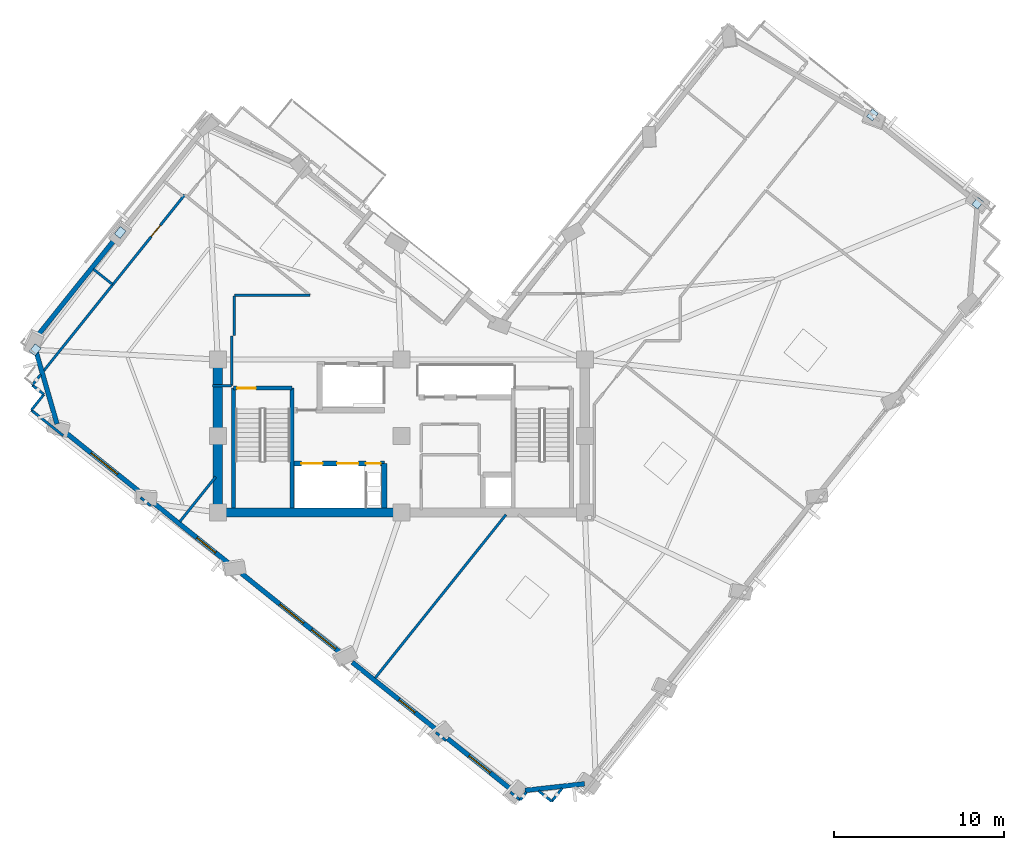
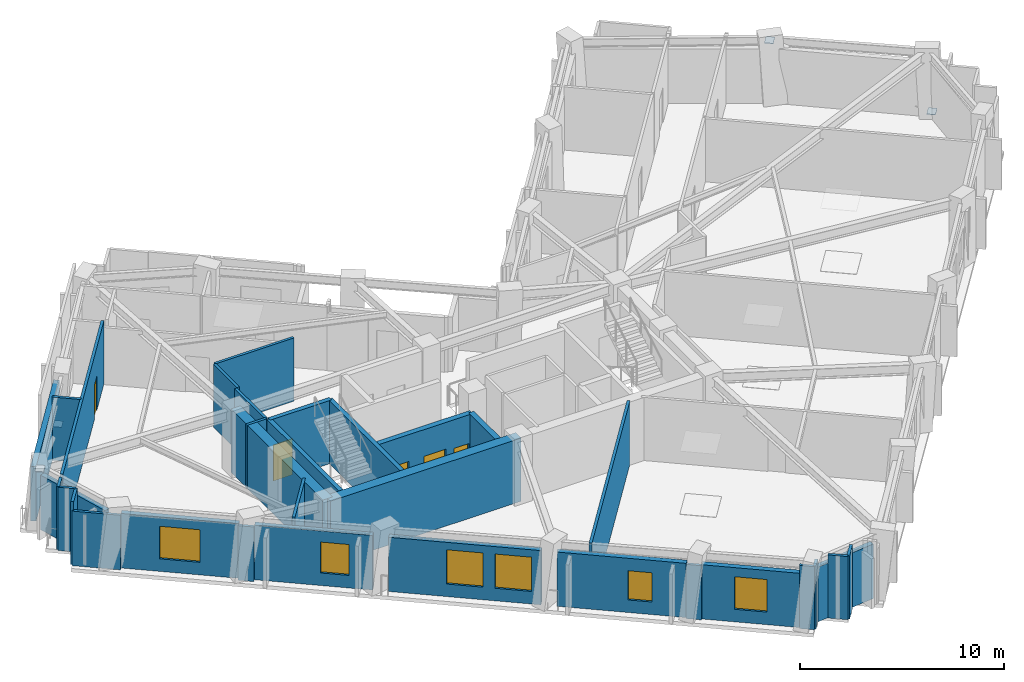
# One storey, part 4 of 10: 33 walls, 6 windows, 5 doors, 4 plates, 11 openings.
"""IFC4 building model written with IfcOpenShell, lengths in metres."""

from ifc_helpers import new_model, si_unit, direction, frame, frame_2d, origin, origin_2d, place, context, subcontext, project, spatial, rectangle, extrude, material, layer, layer_set, type_object, element, fill, save


model = new_model("IFC4")

# Units and contexts
model_context = context("Model", 3, precision=1e-05, world=origin(), true_north=direction((0.0, 1.0)))
body_context = subcontext(model_context, "Body", "Model", "MODEL_VIEW")
ifc_project = project(units=[si_unit("LENGTHUNIT", "METRE"), si_unit("AREAUNIT", "SQUARE_METRE"), si_unit("VOLUMEUNIT", "CUBIC_METRE"), si_unit("PLANEANGLEUNIT", "RADIAN"), si_unit("MASSUNIT", "GRAM", prefix="KILO")], contexts=[model_context])

# Site, building, storey
site_placement = place(None, origin())
site = spatial("IfcSite", under=ifc_project, at=site_placement, CompositionType="ELEMENT")
building_placement = place(site_placement, origin())
building = spatial("IfcBuilding", under=site, at=building_placement, Name="Gaonmaruhae Medical Tower", CompositionType="ELEMENT")
storey_placement = place(building_placement, frame((0.0, 0.0, 243.199951171875)))
storey = spatial("IfcBuildingStorey", under=building, at=storey_placement, Name="L58", CompositionType="ELEMENT", Elevation=243.199951171875)

# Plates
ifc_material_1 = material(Name="Steel HSA650 (650 MPa)", Category="steel")
ifc_layer_1 = layer(ifc_material_1, 0.028076171875)
ifc_layer_set_1 = layer_set([ifc_layer_1], Name="Steel HSA650 (650 MPa)")
plate_type = type_object("IfcPlateType", Name="GP-02 Tube Brace End Cap Gusset Plate", PredefinedType="USERDEFINED", material=ifc_layer_set_1)
for number, where, z_axis, x_axis, name in (
    (1, (58.721435546875, 26.00830078125, 0.23583984375), (0.0, 0.0, 1.0), (0.625242656336, 0.780430407338, 0.0), "L58 Gusset Cap Plate PLT-L58-PBR-E01A"),
    (2, (52.530517578125, 31.199951171875, 3.51611328125), (0.0, 0.0, 1.0), (0.612217280034, 0.790689573744, 0.0), "L58 Gusset Cap Plate PLT-L58-PBR-E01B"),
    (3, (8.260498046875, 24.279052734375, 0.23583984375), (0.0, 0.0, 1.0), (0.625242656336, 0.780430407338, 0.0), "L58 Gusset Cap Plate PLT-L58-PBR-N02A"),
    (4, (3.25244140625, 17.375244140625, 3.51611328125), (0.0, 0.0, 1.0), (0.612217280034, 0.790689573744, 0.0), "L58 Gusset Cap Plate PLT-L58-PBR-N02B"),
):
    element("IfcPlate", number, at=place(storey_placement, frame(where, z_axis=z_axis, x_axis=x_axis)), inside=storey, type_object=plate_type, Name=name, ObjectType="GUSSET_PLATE", PredefinedType="USERDEFINED", context=body_context, shape_type="SweptSolid", body=[
        extrude(rectangle(XDim=0.56005859375, YDim=0.43994140625, at=origin_2d()), origin(), (0.0, 0.0, 1.0), 0.028076171875),
    ])

# Walls
ifc_material_2 = material(Name="Concrete C50/60", Category="concrete")
ifc_layer_2 = layer(ifc_material_2, 0.550048828125)
ifc_layer_set_2 = layer_set([ifc_layer_2], Name="Concrete C50/60")
wall_type_1 = type_object("IfcWallType", Name="CW-550 Mid-High Core Shear Wall", PredefinedType="SHEAR", material=ifc_layer_set_2)
wall_1_placement = place(storey_placement, frame((14.0, 7.800048828125, 0.0), z_axis=(0.0, 0.0, 1.0), x_axis=(1.0, 0.0, 0.0)))
element("IfcWall", 5, at=wall_1_placement, inside=storey, type_object=wall_type_1, Name="L58 Core Shear Wall CSW-S1", PredefinedType="SHEAR", context=body_context, shape_type="SweptSolid", body=[
    extrude(rectangle(XDim=10.800048828125, YDim=0.550048828125, at=frame_2d((5.39990234375, 0.0))), origin(), (0.0, 0.0, 1.0), 3.780029296875),
])
wall_2_placement = place(storey_placement, frame((14.0, 16.800048828125, 0.0), z_axis=(0.0, 0.0, 1.0), x_axis=(0.0, -1.0, 0.0)))
element("IfcWall", 6, at=wall_2_placement, inside=storey, type_object=wall_type_1, Name="L58 Core Shear Wall CSW-W1", PredefinedType="SHEAR", context=body_context, shape_type="SweptSolid", body=[
    extrude(rectangle(XDim=9.0, YDim=0.550048828125, at=frame_2d((4.5, 0.0))), origin(), (0.0, 0.0, 1.0), 3.780029296875),
])
ifc_material_3 = material(Name="Precast concrete C45/55", Category="concrete")
ifc_layer_3 = layer(ifc_material_3, 0.280029296875)
ifc_layer_set_3 = layer_set([ifc_layer_3], Name="Precast concrete C45/55")
wall_type_2 = type_object("IfcWallType", Name="EW-280 Upper Precast Masonry-Frame Facade Wall", PredefinedType="SOLIDWALL", material=ifc_layer_set_3)
wall_3_placement = place(storey_placement, frame((3.2470703125, 18.021240234375, 0.0), z_axis=(0.0, 0.0, 1.0), x_axis=(0.625235891267, 0.780435827132, 0.0)))
element("IfcWall", 7, at=wall_3_placement, inside=storey, type_object=wall_type_2, Name="L58 Precast Masonry-Frame Wall N02-N03", PredefinedType="SOLIDWALL", context=body_context, shape_type="SweptSolid", body=[
    extrude(rectangle(XDim=7.484619140625, YDim=0.280029296875, at=frame_2d((3.7421875, 0.0))), origin(), (0.0, 0.0, 1.0), 3.26513671875),
])
wall_4_placement = place(storey_placement, frame((4.536376953125, 13.013427734375, 0.0), z_axis=(0.0, 0.0, 1.0), x_axis=(-0.277031841277, 0.960860738567, 0.0)))
element("IfcWall", 8, at=wall_4_placement, inside=storey, type_object=wall_type_2, Name="L58 Precast Masonry-Frame Wall N03-W01", PredefinedType="SOLIDWALL", context=body_context, shape_type="SweptSolid", body=[
    extrude(rectangle(XDim=4.408203125, YDim=0.280029296875, at=frame_2d((2.2041015625, 0.0))), origin(), (0.0, 0.0, 1.0), 3.26513671875),
])

# Wall, opening, window
wall_5_placement = place(storey_placement, frame((9.597900390625, 8.8564453125, 0.0), z_axis=(0.0, 0.0, 1.0), x_axis=(-0.780447849536, 0.625220884292, 0.0)))
wall_5 = element("IfcWall", 9, at=wall_5_placement, inside=storey, type_object=wall_type_2, Name="L58 Precast Masonry-Frame Wall W01-W02", PredefinedType="SOLIDWALL", context=body_context, shape_type="SweptSolid", body=[
    extrude(rectangle(XDim=5.830322265625, YDim=0.280029296875, at=frame_2d((2.9150390625, 0.0))), origin(), (0.0, 0.0, 1.0), 3.26513671875),
])
opening_1_placement = place(wall_5_placement, frame((1.911376953125, 0.0, 0.75)))
opening_1 = element("IfcOpeningElement", 10, at=opening_1_placement, cuts=wall_5, Name="Opening WN-02", PredefinedType="OPENING", context=body_context, shape_type="SweptSolid", body=[
    extrude(rectangle(XDim=2.0, YDim=1.949951171875, at=frame_2d((1.0, 0.97509765625))), frame((0.0, 0.14990234375, 0.0), z_axis=(0.0, -1.0, 0.0), x_axis=(1.0, 0.0, 0.0)), (0.0, 0.0, 1.0), 0.300048828125),
])
ifc_material_4 = material(Name="Anodised aluminium and Low-E double glazing", Category="aluminium")
window_type_1 = type_object("IfcWindowType", Name="WN-02 Double-Bed Ward Punched Window 2000x1950", PartitioningType="SINGLE_PANEL", PredefinedType="WINDOW", material=ifc_material_4)
window_1_placement = place(opening_1_placement, origin())
window_1 = element("IfcWindow", 11, at=window_1_placement, inside=storey, type_object=window_type_1, Name="L58 Modular Facade Window W01", OverallHeight=1.949951171875, OverallWidth=2.0, PartitioningType="SINGLE_PANEL", PredefinedType="WINDOW", context=body_context, shape_type="SweptSolid", body=[
    extrude(rectangle(XDim=2.0, YDim=1.949951171875, at=frame_2d((1.0, 0.97509765625))), frame((0.0, 0.030029296875, 0.0), z_axis=(0.0, -1.0, 0.0), x_axis=(1.0, 0.0, 0.0)), (0.0, 0.0, 1.0), 0.06005859375),
])
fill(opening_1, window_1)

wall_6_placement = place(storey_placement, frame((14.782958984375, 4.702392578125, 0.0), z_axis=(0.0, 0.0, 1.0), x_axis=(-0.780421571558, 0.625253685033, 0.0)))
wall_6 = element("IfcWall", 12, at=wall_6_placement, inside=storey, type_object=wall_type_2, Name="L58 Precast Masonry-Frame Wall W02-W03", PredefinedType="SOLIDWALL", context=body_context, shape_type="SweptSolid", body=[
    extrude(rectangle(XDim=5.86083984375, YDim=0.280029296875, at=frame_2d((2.930419921875, 0.0))), origin(), (0.0, 0.0, 1.0), 3.26513671875),
])
opening_2_placement = place(wall_6_placement, frame((1.1728515625, 0.0, 0.75)))
opening_2 = element("IfcOpeningElement", 13, at=opening_2_placement, cuts=wall_6, Name="Opening WN-03", PredefinedType="OPENING", context=body_context, shape_type="SweptSolid", body=[
    extrude(rectangle(XDim=1.39990234375, YDim=1.85009765625, at=frame_2d((0.699951171875, 0.925048828125))), frame((0.0, 0.14990234375, 0.0), z_axis=(0.0, -1.0, 0.0), x_axis=(1.0, 0.0, 0.0)), (0.0, 0.0, 1.0), 0.300048828125),
])
window_type_2 = type_object("IfcWindowType", Name="WN-03 Isolation Ward Punched Window 1400x1850", PartitioningType="SINGLE_PANEL", PredefinedType="WINDOW", material=ifc_material_4)
window_2_placement = place(opening_2_placement, origin())
window_2 = element("IfcWindow", 14, at=window_2_placement, inside=storey, type_object=window_type_2, Name="L58 Modular Facade Window W02", OverallHeight=1.85009765625, OverallWidth=1.39990234375, PartitioningType="SINGLE_PANEL", PredefinedType="WINDOW", context=body_context, shape_type="SweptSolid", body=[
    extrude(rectangle(XDim=1.39990234375, YDim=1.85009765625, at=frame_2d((0.699951171875, 0.925048828125))), frame((0.0, 0.030029296875, 0.0), z_axis=(0.0, -1.0, 0.0), x_axis=(1.0, 0.0, 0.0)), (0.0, 0.0, 1.0), 0.06005859375),
])
fill(opening_2, window_2)

# Wall, openings, windows
wall_7_placement = place(storey_placement, frame((21.3017578125, -0.520263671875, 0.0), z_axis=(0.0, 0.0, 1.0), x_axis=(-0.78042427631, 0.625250309033, 0.0)))
wall_7 = element("IfcWall", 15, at=wall_7_placement, inside=storey, type_object=wall_type_2, Name="L58 Precast Masonry-Frame Wall W03-W04", PredefinedType="SOLIDWALL", context=body_context, shape_type="SweptSolid", body=[
    extrude(rectangle(XDim=7.558349609375, YDim=0.280029296875, at=frame_2d((3.779296875, 0.0))), origin(), (0.0, 0.0, 1.0), 3.2451171875),
])
opening_3_placement = place(wall_7_placement, frame((2.880126953125, 0.0, 0.75)))
opening_3 = element("IfcOpeningElement", 16, at=opening_3_placement, cuts=wall_7, Name="Opening WN-04", PredefinedType="OPENING", context=body_context, shape_type="SweptSolid", body=[
    extrude(rectangle(XDim=1.800048828125, YDim=2.050048828125, at=frame_2d((0.89990234375, 1.02490234375))), frame((0.0, 0.14990234375, 0.0), z_axis=(0.0, -1.0, 0.0), x_axis=(1.0, 0.0, 0.0)), (0.0, 0.0, 1.0), 0.300048828125),
])
opening_4_placement = place(wall_7_placement, frame((0.47607421875, 0.0, 0.75)))
opening_4 = element("IfcOpeningElement", 17, at=opening_4_placement, cuts=wall_7, Name="Opening WN-04", PredefinedType="OPENING", context=body_context, shape_type="SweptSolid", body=[
    extrude(rectangle(XDim=1.800048828125, YDim=2.050048828125, at=frame_2d((0.89990234375, 1.02490234375))), frame((0.0, 0.14990234375, 0.0), z_axis=(0.0, -1.0, 0.0), x_axis=(1.0, 0.0, 0.0)), (0.0, 0.0, 1.0), 0.300048828125),
])
window_type_3 = type_object("IfcWindowType", Name="WN-04 Clinic & Consult Punched Window 1800x2050", PartitioningType="SINGLE_PANEL", PredefinedType="WINDOW", material=ifc_material_4)
window_3_placement = place(opening_3_placement, origin())
window_3 = element("IfcWindow", 18, at=window_3_placement, inside=storey, type_object=window_type_3, Name="L58 Modular Facade Window W03", OverallHeight=2.050048828125, OverallWidth=1.800048828125, PartitioningType="SINGLE_PANEL", PredefinedType="WINDOW", context=body_context, shape_type="SweptSolid", body=[
    extrude(rectangle(XDim=1.800048828125, YDim=2.050048828125, at=frame_2d((0.89990234375, 1.02490234375))), frame((0.0, 0.030029296875, 0.0), z_axis=(0.0, -1.0, 0.0), x_axis=(1.0, 0.0, 0.0)), (0.0, 0.0, 1.0), 0.06005859375),
])
fill(opening_3, window_3)
window_4_placement = place(opening_4_placement, origin())
window_4 = element("IfcWindow", 19, at=window_4_placement, inside=storey, type_object=window_type_3, Name="L58 Modular Facade Window W03B", OverallHeight=2.050048828125, OverallWidth=1.800048828125, PartitioningType="SINGLE_PANEL", PredefinedType="WINDOW", context=body_context, shape_type="SweptSolid", body=[
    extrude(rectangle(XDim=1.800048828125, YDim=2.050048828125, at=frame_2d((0.89990234375, 1.02490234375))), frame((0.0, 0.030029296875, 0.0), z_axis=(0.0, -1.0, 0.0), x_axis=(1.0, 0.0, 0.0)), (0.0, 0.0, 1.0), 0.06005859375),
])
fill(opening_4, window_4)

# Wall, opening, window
wall_8_placement = place(storey_placement, frame((26.9306640625, -5.02978515625, 0.0), z_axis=(0.0, 0.0, 1.0), x_axis=(-0.780431161763, 0.625241714658, 0.0)))
wall_8 = element("IfcWall", 20, at=wall_8_placement, inside=storey, type_object=wall_type_2, Name="L58 Precast Masonry-Frame Wall W04-W05", PredefinedType="SOLIDWALL", context=body_context, shape_type="SweptSolid", body=[
    extrude(rectangle(XDim=6.4248046875, YDim=0.280029296875, at=frame_2d((3.21240234375, 0.0))), origin(), (0.0, 0.0, 1.0), 3.2451171875),
])
opening_5_placement = place(wall_8_placement, frame((1.697509765625, 0.0, 0.75)))
opening_5 = element("IfcOpeningElement", 21, at=opening_5_placement, cuts=wall_8, Name="Opening WN-05", PredefinedType="OPENING", context=body_context, shape_type="SweptSolid", body=[
    extrude(rectangle(XDim=1.199951171875, YDim=1.75, at=frame_2d((0.60009765625, 0.875))), frame((0.0, 0.14990234375, 0.0), z_axis=(0.0, -1.0, 0.0), x_axis=(1.0, 0.0, 0.0)), (0.0, 0.0, 1.0), 0.300048828125),
])
window_type_4 = type_object("IfcWindowType", Name="WN-05 Support & Staff Punched Window 1200x1750", PartitioningType="SINGLE_PANEL", PredefinedType="WINDOW", material=ifc_material_4)
window_5_placement = place(opening_5_placement, origin())
window_5 = element("IfcWindow", 22, at=window_5_placement, inside=storey, type_object=window_type_4, Name="L58 Modular Facade Window W04", OverallHeight=1.75, OverallWidth=1.199951171875, PartitioningType="SINGLE_PANEL", PredefinedType="WINDOW", context=body_context, shape_type="SweptSolid", body=[
    extrude(rectangle(XDim=1.199951171875, YDim=1.75, at=frame_2d((0.60009765625, 0.875))), frame((0.0, 0.030029296875, 0.0), z_axis=(0.0, -1.0, 0.0), x_axis=(1.0, 0.0, 0.0)), (0.0, 0.0, 1.0), 0.06005859375),
])
fill(opening_5, window_5)

wall_9_placement = place(storey_placement, frame((31.314208984375, -8.541748046875, 0.0), z_axis=(0.0, 0.0, 1.0), x_axis=(-0.780422206718, 0.625252892245, 0.0)))
wall_9 = element("IfcWall", 23, at=wall_9_placement, inside=storey, type_object=wall_type_2, Name="L58 Precast Masonry-Frame Wall W05-W06", PredefinedType="SOLIDWALL", context=body_context, shape_type="SweptSolid", body=[
    extrude(rectangle(XDim=4.85546875, YDim=0.280029296875, at=frame_2d((2.427734375, 0.0))), origin(), (0.0, 0.0, 1.0), 3.2451171875),
])
opening_6_placement = place(wall_9_placement, frame((1.6328125, 0.0, 0.75)))
opening_6 = element("IfcOpeningElement", 24, at=opening_6_placement, cuts=wall_9, Name="Opening WN-01", PredefinedType="OPENING", context=body_context, shape_type="SweptSolid", body=[
    extrude(rectangle(XDim=1.60009765625, YDim=1.949951171875, at=frame_2d((0.800048828125, 0.97509765625))), frame((0.0, 0.14990234375, 0.0), z_axis=(0.0, -1.0, 0.0), x_axis=(1.0, 0.0, 0.0)), (0.0, 0.0, 1.0), 0.300048828125),
])
window_type_5 = type_object("IfcWindowType", Name="WN-01 Ward Punched Acoustic Window 1600x1950", PartitioningType="SINGLE_PANEL", PredefinedType="WINDOW", material=ifc_material_4)
window_6_placement = place(opening_6_placement, origin())
window_6 = element("IfcWindow", 25, at=window_6_placement, inside=storey, type_object=window_type_5, Name="L58 Modular Facade Window W05", OverallHeight=1.949951171875, OverallWidth=1.60009765625, PartitioningType="SINGLE_PANEL", PredefinedType="WINDOW", context=body_context, shape_type="SweptSolid", body=[
    extrude(rectangle(XDim=1.60009765625, YDim=1.949951171875, at=frame_2d((0.800048828125, 0.97509765625))), frame((0.0, 0.030029296875, 0.0), z_axis=(0.0, -1.0, 0.0), x_axis=(1.0, 0.0, 0.0)), (0.0, 0.0, 1.0), 0.06005859375),
])
fill(opening_6, window_6)

# Walls
wall_10_placement = place(storey_placement, frame((35.585693359375, -8.167724609375, 0.0), z_axis=(0.0, 0.0, 1.0), x_axis=(-0.993957920382, -0.109761798951, 0.0)))
element("IfcWall", 26, at=wall_10_placement, inside=storey, type_object=wall_type_2, Name="L58 Precast Masonry-Frame Wall W06-S01", PredefinedType="SOLIDWALL", context=body_context, shape_type="SweptSolid", body=[
    extrude(rectangle(XDim=3.52099609375, YDim=0.280029296875, at=frame_2d((1.760498046875, 0.0))), origin(), (0.0, 0.0, 1.0), 3.26513671875),
])
ifc_material_5 = material(Name="Gypsum board partition", Category="gypsum")
ifc_layer_4 = layer(ifc_material_5, 0.14990234375)
ifc_layer_set_4 = layer_set([ifc_layer_4], Name="Gypsum board partition")
wall_type_3 = type_object("IfcWallType", Name="PW-150 Rated Clinical Corridor Partition", PredefinedType="PARTITIONING", material=ifc_layer_set_4)
wall_11_placement = place(storey_placement, frame((33.654052734375, -9.198974609375, 0.0), z_axis=(0.0, 0.0, 1.0), x_axis=(-0.780409939001, 0.62526820414, 0.0)))
element("IfcWall", 27, at=wall_11_placement, inside=storey, type_object=wall_type_3, Name="L58 Interior Partition L58-SUP01-7", PredefinedType="PARTITIONING", context=body_context, shape_type="SweptSolid", body=[
    extrude(rectangle(XDim=0.986572265625, YDim=0.14990234375, at=frame_2d((0.4931640625, 0.0))), origin(), (0.0, 0.0, 1.0), 3.780029296875),
])
wall_12_placement = place(storey_placement, frame((32.1630859375, -8.660888671875, 0.0), z_axis=(0.0, 0.0, 1.0), x_axis=(-0.624492479679, -0.781030820662, 0.0)))
element("IfcWall", 28, at=wall_12_placement, inside=storey, type_object=wall_type_3, Name="L58 Interior Partition L58-SUP01-8", PredefinedType="PARTITIONING", context=body_context, shape_type="SweptSolid", body=[
    extrude(rectangle(XDim=0.587890625, YDim=0.14990234375, at=frame_2d((0.2939453125, 0.0))), origin(), (0.0, 0.0, 1.0), 3.780029296875),
])
wall_13_placement = place(storey_placement, frame((31.7958984375, -9.1201171875, 0.0), z_axis=(0.0, 0.0, 1.0), x_axis=(-0.780578184198, 0.625058155977, 0.0)))
element("IfcWall", 29, at=wall_13_placement, inside=storey, type_object=wall_type_3, Name="L58 Interior Partition L58-SUP01-9", PredefinedType="PARTITIONING", context=body_context, shape_type="SweptSolid", body=[
    extrude(rectangle(XDim=0.73779296875, YDim=0.14990234375, at=frame_2d((0.368896484375, 0.0))), origin(), (0.0, 0.0, 1.0), 3.780029296875),
])
wall_14_placement = place(storey_placement, frame((27.430908203125, -5.623046875, 0.0), z_axis=(0.0, 0.0, 1.0), x_axis=(-0.780305281148, 0.625398807332, 0.0)))
element("IfcWall", 30, at=wall_14_placement, inside=storey, type_object=wall_type_3, Name="L58 Interior Partition L58-SUP01-10", PredefinedType="PARTITIONING", context=body_context, shape_type="SweptSolid", body=[
    extrude(rectangle(XDim=0.76123046875, YDim=0.14990234375, at=frame_2d((0.380615234375, 0.0))), origin(), (0.0, 0.0, 1.0), 3.2451171875),
])
wall_15_placement = place(storey_placement, frame((23.260009765625, -1.94091796875, 0.0), z_axis=(0.0, 0.0, 1.0), x_axis=(0.625255482182, 0.780420131725, 0.0)))
element("IfcWall", 31, at=wall_15_placement, inside=storey, type_object=wall_type_3, Name="L58 Interior Partition L58-SUP01-11", PredefinedType="PARTITIONING", context=body_context, shape_type="SweptSolid", body=[
    extrude(rectangle(XDim=12.321533203125, YDim=0.14990234375, at=frame_2d((6.16064453125, 0.0))), origin(), (0.0, 0.0, 1.0), 3.780029296875),
])
wall_16_placement = place(storey_placement, frame((34.27099609375, -8.428955078125, 0.0), z_axis=(0.0, 0.0, 1.0), x_axis=(-0.62526820414, -0.780409939001, 0.0)))
element("IfcWall", 32, at=wall_16_placement, inside=storey, type_object=wall_type_3, Name="L58 Interior Partition L58-SUP01-16", PredefinedType="PARTITIONING", context=body_context, shape_type="SweptSolid", body=[
    extrude(rectangle(XDim=0.986572265625, YDim=0.14990234375, at=frame_2d((0.4931640625, 0.0))), origin(), (0.0, 0.0, 1.0), 3.780029296875),
])
wall_17_placement = place(storey_placement, frame((11.76806640625, 7.264892578125, 0.0), z_axis=(0.0, 0.0, 1.0), x_axis=(0.625207334628, 0.78045870405, 0.0)))
element("IfcWall", 33, at=wall_17_placement, inside=storey, type_object=wall_type_3, Name="L58 Interior Partition L58-WOF05-42", PredefinedType="PARTITIONING", context=body_context, shape_type="SweptSolid", body=[
    extrude(rectangle(XDim=3.369873046875, YDim=0.14990234375, at=frame_2d((1.68505859375, 0.0))), origin(), (0.0, 0.0, 1.0), 3.780029296875),
])
wall_18_placement = place(storey_placement, frame((14.969970703125, 20.550048828125, 0.0), z_axis=(0.0, 0.0, 1.0), x_axis=(0.0, -1.0, 0.0)))
element("IfcWall", 34, at=wall_18_placement, inside=storey, type_object=wall_type_3, Name="L58 Interior Partition L58-WOF06-43", PredefinedType="PARTITIONING", context=body_context, shape_type="SweptSolid", body=[
    extrude(rectangle(XDim=2.320068359375, YDim=0.14990234375, at=frame_2d((1.16015625, 0.0))), origin(), (0.0, 0.0, 1.0), 3.780029296875),
])
wall_19_placement = place(storey_placement, frame((14.820068359375, 18.199951171875, 0.0), z_axis=(0.0, 0.0, 1.0), x_axis=(0.0, -1.0, 0.0)))
element("IfcWall", 35, at=wall_19_placement, inside=storey, type_object=wall_type_3, Name="L58 Interior Partition L58-WOF06-44", PredefinedType="PARTITIONING", context=body_context, shape_type="SweptSolid", body=[
    extrude(rectangle(XDim=2.93994140625, YDim=0.14990234375, at=frame_2d((1.469970703125, 0.0))), origin(), (0.0, 0.0, 1.0), 3.780029296875),
])
wall_20_placement = place(storey_placement, frame((14.820068359375, 15.260009765625, 0.0), z_axis=(0.0, 0.0, 1.0), x_axis=(-1.0, 0.0, 0.0)))
element("IfcWall", 36, at=wall_20_placement, inside=storey, type_object=wall_type_3, Name="L58 Interior Partition L58-WOF06-45", PredefinedType="PARTITIONING", context=body_context, shape_type="SweptSolid", body=[
    extrude(rectangle(XDim=1.1201171875, YDim=0.14990234375, at=frame_2d((0.56005859375, 0.0))), origin(), (0.0, 0.0, 1.0), 3.780029296875),
])
wall_21_placement = place(storey_placement, frame((10.06494140625, 8.18701171875, 0.0), z_axis=(0.0, 0.0, 1.0), x_axis=(-0.780046888602, 0.625721065318, 0.0)))
element("IfcWall", 37, at=wall_21_placement, inside=storey, type_object=wall_type_3, Name="L58 Interior Partition L58-WOF06-46", PredefinedType="PARTITIONING", context=body_context, shape_type="SweptSolid", body=[
    extrude(rectangle(XDim=0.782958984375, YDim=0.14990234375, at=frame_2d((0.3916015625, 0.0))), origin(), (0.0, 0.0, 1.0), 3.26513671875),
])
wall_22_placement = place(storey_placement, frame((4.904052734375, 12.322021484375, 0.0), z_axis=(0.0, 0.0, 1.0), x_axis=(-0.78039353806, 0.625288673937, 0.0)))
element("IfcWall", 38, at=wall_22_placement, inside=storey, type_object=wall_type_3, Name="L58 Interior Partition L58-WOF06-47", PredefinedType="PARTITIONING", context=body_context, shape_type="SweptSolid", body=[
    extrude(rectangle(XDim=2.40673828125, YDim=0.14990234375, at=frame_2d((1.203369140625, 0.0))), origin(), (0.0, 0.0, 1.0), 3.26513671875),
])
wall_23_placement = place(storey_placement, frame((3.02587890625, 13.826904296875, 0.0), z_axis=(0.0, 0.0, 1.0), x_axis=(0.625275033994, 0.78040446684, 0.0)))
element("IfcWall", 39, at=wall_23_placement, inside=storey, type_object=wall_type_3, Name="L58 Interior Partition L58-WOF06-48", PredefinedType="PARTITIONING", context=body_context, shape_type="SweptSolid", body=[
    extrude(rectangle(XDim=1.180419921875, YDim=0.14990234375, at=frame_2d((0.59033203125, 0.0))), origin(), (0.0, 0.0, 1.0), 3.780029296875),
])
wall_24_placement = place(storey_placement, frame((3.763916015625, 14.748046875, 0.0), z_axis=(0.0, 0.0, 1.0), x_axis=(-0.780541993585, 0.625103348456, 0.0)))
element("IfcWall", 40, at=wall_24_placement, inside=storey, type_object=wall_type_3, Name="L58 Interior Partition L58-WOF06-49", PredefinedType="PARTITIONING", context=body_context, shape_type="SweptSolid", body=[
    extrude(rectangle(XDim=0.874755859375, YDim=0.14990234375, at=frame_2d((0.4375, 0.0))), origin(), (0.0, 0.0, 1.0), 3.780029296875),
])
wall_25_placement = place(storey_placement, frame((3.0810546875, 15.294921875, 0.0), z_axis=(0.0, 0.0, 1.0), x_axis=(0.62499389892, 0.780629634534, 0.0)))
element("IfcWall", 41, at=wall_25_placement, inside=storey, type_object=wall_type_3, Name="L58 Interior Partition L58-WOF06-50", PredefinedType="PARTITIONING", context=body_context, shape_type="SweptSolid", body=[
    extrude(rectangle(XDim=0.796875, YDim=0.14990234375, at=frame_2d((0.3984375, 0.0))), origin(), (0.0, 0.0, 1.0), 3.780029296875),
])

# Wall, opening, door
wall_26_placement = place(storey_placement, frame((3.756103515625, 16.136962890625, 0.0), z_axis=(0.0, 0.0, 1.0), x_axis=(0.625215419058, 0.780452227733, 0.0)))
wall_26 = element("IfcWall", 42, at=wall_26_placement, inside=storey, type_object=wall_type_3, Name="L58 Interior Partition L58-WOF06-51", PredefinedType="PARTITIONING", context=body_context, shape_type="SweptSolid", body=[
    extrude(rectangle(XDim=13.2705078125, YDim=0.14990234375, at=frame_2d((6.63525390625, 0.0))), origin(), (0.0, 0.0, 1.0), 3.780029296875),
])
opening_7_placement = place(wall_26_placement, frame((10.115966796875, 0.0, 0.0)))
opening_7 = element("IfcOpeningElement", 43, at=opening_7_placement, cuts=wall_26, Name="Opening AD-01", PredefinedType="OPENING", context=body_context, shape_type="SweptSolid", body=[
    extrude(rectangle(XDim=0.860107421875, YDim=2.06005859375, at=frame_2d((0.43017578125, 1.030029296875))), frame((0.0, 0.0849609375, 0.0), z_axis=(0.0, -1.0, 0.0), x_axis=(1.0, 0.0, 0.0)), (0.0, 0.0, 1.0), 0.169921875),
])
ifc_material_6 = material(Name="Powder-coated steel access door", Category="steel")
door_type_1 = type_object("IfcDoorType", Name="AD-01 Riser & Closet Access Fire Door 860x2060", OperationType="NOTDEFINED", PredefinedType="DOOR", material=ifc_material_6)
door_1_placement = place(opening_7_placement, origin())
door_1 = element("IfcDoor", 44, at=door_1_placement, inside=storey, type_object=door_type_1, Name="L58 Care Team Clinical Charting Office Sliding Door", OperationType="SLIDING_TO_LEFT", OverallHeight=2.06005859375, OverallWidth=0.860107421875, PredefinedType="DOOR", context=body_context, shape_type="SweptSolid", body=[
    extrude(rectangle(XDim=0.860107421875, YDim=2.06005859375, at=frame_2d((0.43017578125, 1.030029296875))), frame((0.0, 0.02490234375, 0.0), z_axis=(0.0, -1.0, 0.0), x_axis=(1.0, 0.0, 0.0)), (0.0, 0.0, 1.0), 0.050048828125),
])
fill(opening_7, door_1)

# Walls
wall_27_placement = place(storey_placement, frame((19.43505859375, 20.580078125, 0.0), z_axis=(0.0, 0.0, 1.0), x_axis=(-1.0, 0.0, 0.0)))
element("IfcWall", 45, at=wall_27_placement, inside=storey, type_object=wall_type_3, Name="L58 Interior Partition L58-WOF06-53", PredefinedType="PARTITIONING", context=body_context, shape_type="SweptSolid", body=[
    extrude(rectangle(XDim=4.43798828125, YDim=0.14990234375, at=frame_2d((2.218994140625, 0.0))), origin(), (0.0, 0.0, 1.0), 3.780029296875),
])
wall_28_placement = place(storey_placement, frame((7.804931640625, 21.222900390625, 0.0), z_axis=(0.0, 0.0, 1.0), x_axis=(-0.78055444447, 0.625087801208, 0.0)))
element("IfcWall", 46, at=wall_28_placement, inside=storey, type_object=wall_type_3, Name="L58 Interior Partition L58-RM02-83", PredefinedType="PARTITIONING", context=body_context, shape_type="SweptSolid", body=[
    extrude(rectangle(XDim=1.43994140625, YDim=0.14990234375, at=frame_2d((0.719970703125, 0.0))), origin(), (0.0, 0.0, 1.0), 3.780029296875),
])

# Wall, opening, door
ifc_layer_5 = layer(ifc_material_2, 0.239990234375)
ifc_layer_set_5 = layer_set([ifc_layer_5], Name="Concrete C50/60")
wall_type_4 = type_object("IfcWallType", Name="SW-240 Dogleg Stair Tight Shaft Wall", PredefinedType="SOLIDWALL", material=ifc_layer_set_5)
wall_29_placement = place(storey_placement, frame((14.919921875, 15.1201171875, 0.0), z_axis=(0.0, 0.0, 1.0), x_axis=(1.0, 0.0, 0.0)))
wall_29 = element("IfcWall", 47, at=wall_29_placement, inside=storey, type_object=wall_type_4, Name="L58 ST-01 Stair Shaft Wall SHW-ST-01-N", PredefinedType="SOLIDWALL", context=body_context, shape_type="SweptSolid", body=[
    extrude(rectangle(XDim=3.4599609375, YDim=0.239990234375, at=frame_2d((1.72998046875, 0.0))), origin(), (0.0, 0.0, 1.0), 3.780029296875),
])
opening_8_placement = place(wall_29_placement, frame((0.219970703125, 0.0, 0.0)))
opening_8 = element("IfcOpeningElement", 48, at=opening_8_placement, cuts=wall_29, Name="Opening FD-01", PredefinedType="OPENING", context=body_context, shape_type="SweptSolid", body=[
    extrude(rectangle(XDim=1.10009765625, YDim=2.14990234375, at=frame_2d((0.550048828125, 1.074951171875))), frame((0.0, 0.1298828125, 0.0), z_axis=(0.0, -1.0, 0.0), x_axis=(1.0, 0.0, 0.0)), (0.0, 0.0, 1.0), 0.260009765625),
])
ifc_material_7 = material(Name="Powder-coated steel fire door", Category="steel")
door_type_2 = type_object("IfcDoorType", Name="FD-01 Escape Stair Protected Fire Door 1100x2150", OperationType="NOTDEFINED", PredefinedType="DOOR", material=ifc_material_7)
door_2_placement = place(opening_8_placement, origin())
door_2 = element("IfcDoor", 49, at=door_2_placement, inside=storey, type_object=door_type_2, Name="L58 ST-01 Protected Escape Stair Door", OperationType="SINGLE_SWING_RIGHT", OverallHeight=2.14990234375, OverallWidth=1.10009765625, PredefinedType="DOOR", context=body_context, shape_type="SweptSolid", body=[
    extrude(rectangle(XDim=1.10009765625, YDim=2.14990234375, at=frame_2d((0.550048828125, 1.074951171875))), frame((0.0, 0.02490234375, 0.0), z_axis=(0.0, -1.0, 0.0), x_axis=(1.0, 0.0, 0.0)), (0.0, 0.0, 1.0), 0.050048828125),
])
fill(opening_8, door_2)

# Walls
for number, where, z_axis, x_axis, name in (
    (50, (18.3798828125, 15.1201171875, 0.0), (0.0, 0.0, 1.0), (0.0, -1.0, 0.0), "L58 ST-01 Stair Shaft Wall SHW-ST-01-E"),
    (51, (14.919921875, 8.074951171875, 0.0), (0.0, 0.0, 1.0), (0.0, 1.0, 0.0), "L58 ST-01 Stair Shaft Wall SHW-ST-01-W"),
):
    element("IfcWall", number, at=place(storey_placement, frame(where, z_axis=z_axis, x_axis=x_axis)), inside=storey, type_object=wall_type_4, Name=name, PredefinedType="SOLIDWALL", context=body_context, shape_type="SweptSolid", body=[
        extrude(rectangle(XDim=7.045166015625, YDim=0.239990234375, at=frame_2d((3.5224609375, 0.0))), origin(), (0.0, 0.0, 1.0), 3.780029296875),
    ])

# Wall, openings, doors
ifc_layer_6 = layer(ifc_material_2, 0.300048828125)
ifc_layer_set_6 = layer_set([ifc_layer_6], Name="Concrete C50/60")
wall_type_5 = type_object("IfcWallType", Name="SW-300 Stair & Lift Hoistway Shaft Wall", PredefinedType="SOLIDWALL", material=ifc_layer_set_6)
wall_30_placement = place(storey_placement, frame((18.5, 10.679931640625, 0.0), z_axis=(0.0, 0.0, 1.0), x_axis=(1.0, 0.0, 0.0)))
wall_30 = element("IfcWall", 52, at=wall_30_placement, inside=storey, type_object=wall_type_5, Name="L58 Shaft Enclosure Wall SHW-FFN", PredefinedType="SOLIDWALL", context=body_context, shape_type="SweptSolid", body=[
    extrude(rectangle(XDim=5.300048828125, YDim=0.300048828125, at=frame_2d((2.64990234375, 0.0))), origin(), (0.0, 0.0, 1.0), 3.780029296875),
])
opening_9_placement = place(wall_30_placement, frame((4.219970703125, 0.0, 0.0)))
opening_9 = element("IfcOpeningElement", 53, at=opening_9_placement, cuts=wall_30, Name="Opening AD-01", PredefinedType="OPENING", context=body_context, shape_type="SweptSolid", body=[
    extrude(rectangle(XDim=0.860107421875, YDim=2.06005859375, at=frame_2d((0.43017578125, 1.030029296875))), frame((0.0, 0.16015625, 0.0), z_axis=(0.0, -1.0, 0.0), x_axis=(1.0, 0.0, 0.0)), (0.0, 0.0, 1.0), 0.320068359375),
])
opening_10_placement = place(wall_30_placement, frame((0.425048828125, 0.0, 0.0)))
opening_10 = element("IfcOpeningElement", 54, at=opening_10_placement, cuts=wall_30, Name="Opening LD-F1", PredefinedType="OPENING", context=body_context, shape_type="SweptSolid", body=[
    extrude(rectangle(XDim=1.25, YDim=2.179931640625, at=frame_2d((0.625, 1.08984375))), frame((0.0, 0.16015625, 0.0), z_axis=(0.0, -1.0, 0.0), x_axis=(1.0, 0.0, 0.0)), (0.0, 0.0, 1.0), 0.320068359375),
])
opening_11_placement = place(wall_30_placement, frame((2.52490234375, 0.0, 0.0)))
opening_11 = element("IfcOpeningElement", 55, at=opening_11_placement, cuts=wall_30, Name="Opening LD-F1", PredefinedType="OPENING", context=body_context, shape_type="SweptSolid", body=[
    extrude(rectangle(XDim=1.25, YDim=2.179931640625, at=frame_2d((0.625, 1.08984375))), frame((0.0, 0.16015625, 0.0), z_axis=(0.0, -1.0, 0.0), x_axis=(1.0, 0.0, 0.0)), (0.0, 0.0, 1.0), 0.320068359375),
])
door_3_placement = place(opening_9_placement, origin())
door_3 = element("IfcDoor", 56, at=door_3_placement, inside=storey, type_object=door_type_1, Name="L58 Medical Gas and MEP Riser Access Door", OperationType="SINGLE_SWING_RIGHT", OverallHeight=2.06005859375, OverallWidth=0.860107421875, PredefinedType="DOOR", context=body_context, shape_type="SweptSolid", body=[
    extrude(rectangle(XDim=0.860107421875, YDim=2.06005859375, at=frame_2d((0.43017578125, 1.030029296875))), frame((0.0, 0.02490234375, 0.0), z_axis=(0.0, -1.0, 0.0), x_axis=(1.0, 0.0, 0.0)), (0.0, 0.0, 1.0), 0.050048828125),
])
fill(opening_9, door_3)
ifc_material_8 = material(Name="Brushed stainless steel 316L landing door", Category="steel")
door_type_3 = type_object("IfcDoorType", Name="LD-F1 Firefighting & Bed Lift Sliding Landing Door 1250x2180", OperationType="NOTDEFINED", PredefinedType="DOOR", material=ifc_material_8)
door_4_placement = place(opening_10_placement, origin())
door_4 = element("IfcDoor", 57, at=door_4_placement, inside=storey, type_object=door_type_3, Name="L58 Firefighting Lift Landing Door FFL-01", OperationType="DOUBLE_DOOR_SLIDING", OverallHeight=2.179931640625, OverallWidth=1.25, PredefinedType="DOOR", context=body_context, shape_type="SweptSolid", body=[
    extrude(rectangle(XDim=1.25, YDim=2.179931640625, at=frame_2d((0.625, 1.08984375))), frame((0.0, 0.02490234375, 0.0), z_axis=(0.0, -1.0, 0.0), x_axis=(1.0, 0.0, 0.0)), (0.0, 0.0, 1.0), 0.050048828125),
])
fill(opening_10, door_4)
door_5_placement = place(opening_11_placement, origin())
door_5 = element("IfcDoor", 58, at=door_5_placement, inside=storey, type_object=door_type_3, Name="L58 Firefighting Lift Landing Door FFL-02", OperationType="DOUBLE_DOOR_SLIDING", OverallHeight=2.179931640625, OverallWidth=1.25, PredefinedType="DOOR", context=body_context, shape_type="SweptSolid", body=[
    extrude(rectangle(XDim=1.25, YDim=2.179931640625, at=frame_2d((0.625, 1.08984375))), frame((0.0, 0.02490234375, 0.0), z_axis=(0.0, -1.0, 0.0), x_axis=(1.0, 0.0, 0.0)), (0.0, 0.0, 1.0), 0.050048828125),
])
fill(opening_11, door_5)

# Wall
wall_31_placement = place(storey_placement, frame((23.800048828125, 8.074951171875, 0.0), z_axis=(0.0, 0.0, 1.0), x_axis=(0.0, 1.0, 0.0)))
element("IfcWall", 59, at=wall_31_placement, inside=storey, type_object=wall_type_5, Name="L58 Shaft Enclosure Wall SHW-FFE", PredefinedType="SOLIDWALL", context=body_context, shape_type="SweptSolid", body=[
    extrude(rectangle(XDim=2.60498046875, YDim=0.300048828125, at=frame_2d((1.302490234375, 0.0))), origin(), (0.0, 0.0, 1.0), 3.780029296875),
])

save(model, "model.ifc")
